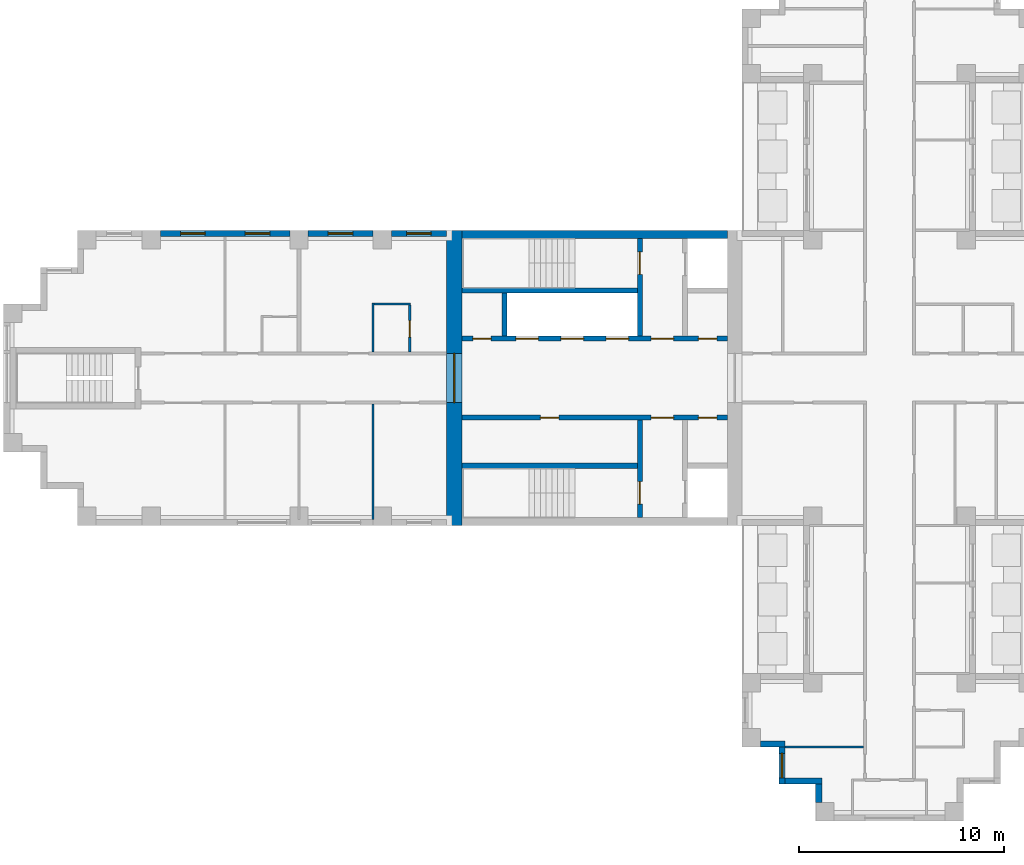
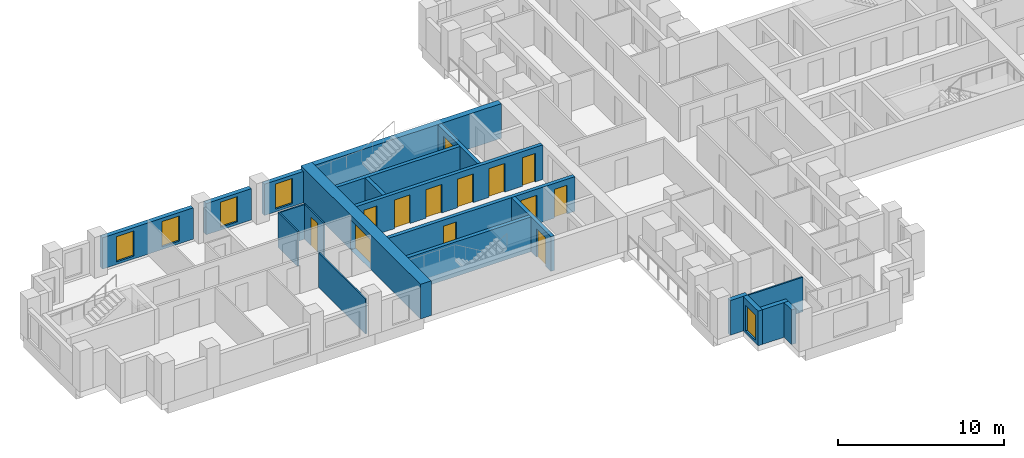
# One storey, part 3 of 10: 21 walls, 13 doors, 5 windows, 18 openings.
"""IFC4 building model written with IfcOpenShell, lengths in metres."""

import ifcopenshell
import ifcopenshell.guid

model = None  # the IFC model being written
_history = None  # IfcOwnerHistory: only IFC2X3 demands one
_inside = {}  # id of a spatial element -> (the spatial element, [elements in it])
_under = {}  # id of a project, library or spatial element -> (it, [spatial elements below it])
_declared = {}  # id of a project -> (the project, [libraries it declares])
_typed = {}  # id of a type object -> (the type object, [elements of that type])
_made_of = {}  # id of a material, layer set ... -> (it, [elements and type objects made of it])


def new_model(schema):
    """Start an empty IFC model of exactly this schema.

    Asked for "IFC4X3", IfcOpenShell would pick the latest addendum, in which some entities
    have other attributes; the version numbers below select the first issue.
    IFC2X3 requires an IfcOwnerHistory on every rooted entity: one is made here for all.
    """
    global model, _history
    if schema == "IFC4X3":
        model = ifcopenshell.file(schema_version=(4, 3, 0, 0))
    else:
        model = ifcopenshell.file(schema=schema)
    _inside.clear()
    _under.clear()
    _declared.clear()
    _typed.clear()
    _made_of.clear()
    _history = None
    if model.schema == "IFC2X3":
        org = make("IfcOrganization", Name="unknown")
        user = make(
            "IfcPersonAndOrganization",
            ThePerson=make("IfcPerson", FamilyName="unknown"),
            TheOrganization=org,
        )
        app = make(
            "IfcApplication",
            ApplicationDeveloper=org,
            Version="unknown",
            ApplicationFullName="unknown",
            ApplicationIdentifier="unknown",
        )
        _history = make(
            "IfcOwnerHistory",
            OwningUser=user,
            OwningApplication=app,
            ChangeAction="ADDED",
            CreationDate=0,
        )
    return model


def make(cls, **values):
    """One entity of the class cls with the attributes given. An attribute that is None is left unset."""
    return model.create_entity(
        cls, **{name: value for name, value in values.items() if value is not None}
    )


def rooted(cls, **values):
    """An entity with a GlobalId (a new one), such as an element, a storey or a relation."""
    return make(cls, GlobalId=ifcopenshell.guid.new(), OwnerHistory=_history, **values)


def si_unit(unit_type, name, prefix=None):
    """IfcSIUnit, for example si_unit("LENGTHUNIT", "METRE", prefix="MILLI")."""
    return make("IfcSIUnit", UnitType=unit_type, Prefix=prefix, Name=name)


def assignment(units):
    """IfcUnitAssignment: the units of a project."""
    return None if units is None else make("IfcUnitAssignment", Units=units)


def point(xyz):
    """IfcCartesianPoint."""
    return None if xyz is None else make("IfcCartesianPoint", Coordinates=xyz)


def direction(xyz):
    """IfcDirection."""
    return None if xyz is None else make("IfcDirection", DirectionRatios=xyz)


def frame(location, z_axis=None, x_axis=None):
    """IfcAxis2Placement3D, a coordinate frame: its origin and axes. An axis left out is left unset."""
    return make(
        "IfcAxis2Placement3D",
        Location=point(location),
        Axis=direction(z_axis),
        RefDirection=direction(x_axis),
    )


def frame_2d(location, x_axis=None):
    """IfcAxis2Placement2D, a coordinate frame in the plane: its origin and x axis."""
    return make(
        "IfcAxis2Placement2D", Location=point(location), RefDirection=direction(x_axis)
    )


def origin():
    """The frame at (0, 0, 0) with its axes left unset."""
    return frame((0.0, 0.0, 0.0))


def place(relative_to, where):
    """IfcLocalPlacement: puts the frame where relative to a parent placement (None: the world)."""
    return make(
        "IfcLocalPlacement", PlacementRelTo=relative_to, RelativePlacement=where
    )


def context(
    kind, dimensions, precision=None, world=None, true_north=None, identifier=None
):
    """IfcGeometricRepresentationContext, for example the 3D "Model" context."""
    return make(
        "IfcGeometricRepresentationContext",
        ContextIdentifier=identifier,
        ContextType=kind,
        CoordinateSpaceDimension=dimensions,
        Precision=precision,
        WorldCoordinateSystem=world,
        TrueNorth=true_north,
    )


def subcontext(parent, identifier, kind, view, scale=None):
    """IfcGeometricRepresentationSubContext, for example "Body" below "Model"."""
    return make(
        "IfcGeometricRepresentationSubContext",
        ContextIdentifier=identifier,
        ContextType=kind,
        ParentContext=parent,
        TargetScale=scale,
        TargetView=view,
    )


def project(units=None, contexts=None):
    """IfcProject with its units and contexts."""
    return rooted(
        "IfcProject",
        Name="project",
        RepresentationContexts=contexts,
        UnitsInContext=assignment(units),
    )


def spatial(cls, under=None, at=None, **own):
    """A site, building, storey or space (cls), placed at a placement, below another one or the project."""
    s = rooted(cls, ObjectPlacement=at, **own)
    if under is not None:
        _under.setdefault(under.id(), (under, []))[1].append(s)
    return s


def profile(cls, at=None, kind="AREA", **sizes):
    """A parametric profile (cls). Its sizes go by their IFC names, for example OverallWidth=200.0."""
    return make(cls, ProfileType=kind, Position=at, **sizes)


def rectangle(**sizes):
    """IfcRectangleProfileDef."""
    return profile("IfcRectangleProfileDef", **sizes)


def extrude(swept, where, along, depth):
    """IfcExtrudedAreaSolid: the profile swept, set in the frame where, extruded along a direction by depth."""
    return make(
        "IfcExtrudedAreaSolid",
        SweptArea=swept,
        Position=where,
        ExtrudedDirection=direction(along),
        Depth=depth,
    )


def shape(context_of_items, identifier, shape_type, items):
    """IfcShapeRepresentation: the items that make up one representation, for example the "Body"."""
    return make(
        "IfcShapeRepresentation",
        ContextOfItems=context_of_items,
        RepresentationIdentifier=identifier,
        RepresentationType=shape_type,
        Items=items,
    )


def material(Name=None, Category=None):
    """IfcMaterial."""
    return make("IfcMaterial", Name=Name, Category=Category)


def layer(
    of_material, thickness, ventilated=None, Name=None, Category=None, Priority=None
):
    """IfcMaterialLayer: one layer of a wall or slab, of a material (None: an air gap)."""
    return make(
        "IfcMaterialLayer",
        Material=of_material,
        LayerThickness=thickness,
        IsVentilated=ventilated,
        Name=Name,
        Category=Category,
        Priority=Priority,
    )


def layer_set(layers, Name=None):
    """IfcMaterialLayerSet."""
    return make("IfcMaterialLayerSet", MaterialLayers=layers, LayerSetName=Name)


def made_of(thing, what):
    """Note that an element or type object is made of a material, layer set ...; save() writes the relation."""
    if what is not None:
        _made_of.setdefault(what.id(), (what, []))[1].append(thing)
    return thing


def type_object(cls, material=None, **own):
    """A type object (cls), such as IfcWallType, which elements share."""
    return made_of(rooted(cls, **own), material)


def element(
    cls,
    number,
    at=None,
    inside=None,
    cuts=None,
    type_object=None,
    material=None,
    context=None,
    identifier="Body",
    shape_type=None,
    held_by="IfcProductDefinitionShape",
    body=None,
    shapes=None,
    **own,
):
    """One element of the class cls, such as IfcWall. Its Tag is "e" and its number.

    at: its placement. inside: the storey or other place that contains it. cuts: it is an
    opening in that element (IfcRelVoidsElement). A single representation is given by context,
    identifier, shape_type and body (its items); several are given by shapes. held_by: the class
    of the entity that holds the representations. save() writes the other relations.
    """
    e = rooted(cls, Tag="e%d" % number, ObjectPlacement=at, **own)
    if body is not None:
        shapes = [shape(context, identifier, shape_type, body)]
    if shapes is not None:
        e.Representation = make(held_by, Representations=shapes)
    if inside is not None:
        _inside.setdefault(inside.id(), (inside, []))[1].append(e)
    if cuts is not None:
        rooted(
            "IfcRelVoidsElement", RelatingBuildingElement=cuts, RelatedOpeningElement=e
        )
    if type_object is not None:
        _typed.setdefault(type_object.id(), (type_object, []))[1].append(e)
    return made_of(e, material)


def fill(opening, filler):
    """IfcRelFillsElement: the door or window that sits in an opening."""
    return rooted(
        "IfcRelFillsElement",
        RelatingOpeningElement=opening,
        RelatedBuildingElement=filler,
    )


def aggregate(whole, parts):
    """IfcRelAggregates: a whole, such as a stair, and the parts it consists of."""
    return rooted("IfcRelAggregates", RelatingObject=whole, RelatedObjects=parts)


def save(model, path):
    """Write the relations noted so far, then the file.

    IfcRelAggregates (storeys below a building ...), IfcRelContainedInSpatialStructure (elements
    in a storey), IfcRelDefinesByType, IfcRelAssociatesMaterial and IfcRelDeclares: one each for
    every whole, place, type object, material and project.
    """
    for whole, parts in _under.values():
        aggregate(whole, parts)
    for where, things in _inside.values():
        rooted(
            "IfcRelContainedInSpatialStructure",
            RelatedElements=things,
            RelatingStructure=where,
        )
    for kind, things in _typed.values():
        rooted("IfcRelDefinesByType", RelatedObjects=things, RelatingType=kind)
    for what, things in _made_of.values():
        rooted("IfcRelAssociatesMaterial", RelatedObjects=things, RelatingMaterial=what)
    for by, libraries in _declared.values():
        rooted("IfcRelDeclares", RelatingContext=by, RelatedDefinitions=libraries)
    model.write(path)


model = new_model("IFC4")

# Units and contexts
model_context = context("Model", 3, precision=1e-05, world=origin(), true_north=direction((0.0, 1.0)))
body_context = subcontext(model_context, "Body", "Model", "MODEL_VIEW")
ifc_project = project(units=[si_unit("LENGTHUNIT", "METRE"), si_unit("AREAUNIT", "SQUARE_METRE"), si_unit("VOLUMEUNIT", "CUBIC_METRE"), si_unit("PLANEANGLEUNIT", "RADIAN"), si_unit("MASSUNIT", "GRAM", prefix="KILO")], contexts=[model_context])

# Site, building, storey
site_placement = place(None, origin())
site = spatial("IfcSite", under=ifc_project, at=site_placement, CompositionType="ELEMENT")
building_placement = place(site_placement, origin())
building = spatial("IfcBuilding", under=site, at=building_placement, Name="Fustian Cross Tower", CompositionType="ELEMENT")
storey_placement = place(building_placement, frame((0.0, 0.0, 191.699951171875)))
storey = spatial("IfcBuildingStorey", under=building, at=storey_placement, Name="L60", CompositionType="ELEMENT", Elevation=191.699951171875)

# Wall, opening, door
ifc_material_1 = material(Name="Concrete C50/60", Category="concrete")
ifc_layer_1 = layer(ifc_material_1, 0.75)
ifc_layer_set_1 = layer_set([ifc_layer_1], Name="Concrete C50/60")
wall_type_1 = type_object("IfcWallType", Name="CORE END WALL 750 C50/60", PredefinedType="SHEAR", material=ifc_layer_set_1)
wall_1_placement = place(storey_placement, frame((-21.22509765625, -7.199951171875, 0.0), z_axis=(0.0, 0.0, 1.0), x_axis=(0.0, 1.0, 0.0)))
wall_1 = element("IfcWall", 1, at=wall_1_placement, inside=storey, type_object=wall_type_1, Name="Core end wall", PredefinedType="SHEAR", context=body_context, shape_type="SweptSolid", body=[
    extrude(rectangle(XDim=14.39990234375, YDim=0.75, at=frame_2d((7.199951171875, 0.0))), origin(), (0.0, 0.0, 1.0), 2.550048828125),
])
opening_1_placement = place(wall_1_placement, frame((6.0, 0.0, 0.0)))
opening_1 = element("IfcOpeningElement", 2, at=opening_1_placement, cuts=wall_1, Name="Opening CD-25-28", PredefinedType="OPENING", context=body_context, shape_type="SweptSolid", body=[
    extrude(rectangle(XDim=2.39990234375, YDim=2.199951171875, at=frame_2d((1.199951171875, 1.10009765625))), frame((0.0, 0.385009765625, 0.0), z_axis=(0.0, -1.0, 0.0), x_axis=(1.0, 0.0, 0.0)), (0.0, 0.0, 1.0), 0.77001953125),
])
ifc_material_2 = material(Name="Steel", Category="steel")
door_type_1 = type_object("IfcDoorType", Name="FIRE DOOR FD30S DOUBLE 2400X2200", OperationType="DOUBLE_DOOR_DOUBLE_SWING", PredefinedType="DOOR", material=ifc_material_2)
door_1_placement = place(opening_1_placement, frame((2.39990234375, 0.0, 0.0), z_axis=(0.0, 0.0, 1.0), x_axis=(-1.0, 0.0, 0.0)))
door_1 = element("IfcDoor", 3, at=door_1_placement, inside=storey, type_object=door_type_1, Name="Core door CD-25-28", OperationType="DOUBLE_DOOR_DOUBLE_SWING", OverallHeight=2.199951171875, OverallWidth=2.39990234375, PredefinedType="DOOR", context=body_context, shape_type="SweptSolid", body=[
    extrude(rectangle(XDim=2.39990234375, YDim=2.199951171875, at=frame_2d((1.199951171875, 1.10009765625))), frame((0.0, 0.02490234375, 0.0), z_axis=(0.0, -1.0, 0.0), x_axis=(1.0, 0.0, 0.0)), (0.0, 0.0, 1.0), 0.050048828125),
])
fill(opening_1, door_1)

# Wall
ifc_material_3 = material(Name="Concrete C50/60", Category="concrete")
ifc_layer_2 = layer(ifc_material_3, 0.39990234375)
ifc_layer_set_2 = layer_set([ifc_layer_2], Name="Concrete C50/60")
wall_type_2 = type_object("IfcWallType", Name="CORE FACADE WALL 400 C50/60", PredefinedType="SHEAR", material=ifc_layer_set_2)
wall_2_placement = place(storey_placement, frame((-7.89990234375, 7.0, 0.0), z_axis=(0.0, 0.0, 1.0), x_axis=(-1.0, 0.0, 0.0)))
element("IfcWall", 4, at=wall_2_placement, inside=storey, type_object=wall_type_2, Name="Core facade wall", PredefinedType="SHEAR", context=body_context, shape_type="SweptSolid", body=[
    extrude(rectangle(XDim=12.9501953125, YDim=0.39990234375, at=frame_2d((6.47509765625, 0.0))), origin(), (0.0, 0.0, 1.0), 2.550048828125),
])

# Wall, openings, doors
ifc_material_4 = material(Name="Concrete C50/60", Category="concrete")
ifc_layer_3 = layer(ifc_material_4, 0.25)
ifc_layer_set_3 = layer_set([ifc_layer_3], Name="Concrete C50/60")
wall_type_3 = type_object("IfcWallType", Name="CORE LOBBY WALL 250 C50/60", PredefinedType="SHEAR", material=ifc_layer_set_3)
wall_3_placement = place(storey_placement, frame((-7.89990234375, 1.925048828125, 0.0), z_axis=(0.0, 0.0, 1.0), x_axis=(-1.0, 0.0, 0.0)))
wall_3 = element("IfcWall", 5, at=wall_3_placement, inside=storey, type_object=wall_type_3, Name="Core lobby wall", PredefinedType="SHEAR", context=body_context, shape_type="SweptSolid", body=[
    extrude(rectangle(XDim=12.9501953125, YDim=0.25, at=frame_2d((6.47509765625, 0.0))), origin(), (0.0, 0.0, 1.0), 2.550048828125),
])
opening_2_placement = place(wall_3_placement, frame((4.824951171875, 0.0, 0.0)))
opening_2 = element("IfcOpeningElement", 6, at=opening_2_placement, cuts=wall_3, Name="Opening LD", PredefinedType="OPENING", context=body_context, shape_type="SweptSolid", body=[
    extrude(rectangle(XDim=1.10009765625, YDim=2.10009765625, at=frame_2d((0.550048828125, 1.050048828125))), frame((0.0, 0.135009765625, 0.0), z_axis=(0.0, -1.0, 0.0), x_axis=(1.0, 0.0, 0.0)), (0.0, 0.0, 1.0), 0.27001953125),
])
opening_3_placement = place(wall_3_placement, frame((7.02490234375, 0.0, 0.0)))
opening_3 = element("IfcOpeningElement", 7, at=opening_3_placement, cuts=wall_3, Name="Opening LD", PredefinedType="OPENING", context=body_context, shape_type="SweptSolid", body=[
    extrude(rectangle(XDim=1.10009765625, YDim=2.10009765625, at=frame_2d((0.550048828125, 1.050048828125))), frame((0.0, 0.135009765625, 0.0), z_axis=(0.0, -1.0, 0.0), x_axis=(1.0, 0.0, 0.0)), (0.0, 0.0, 1.0), 0.27001953125),
])
opening_4_placement = place(wall_3_placement, frame((9.22509765625, 0.0, 0.0)))
opening_4 = element("IfcOpeningElement", 8, at=opening_4_placement, cuts=wall_3, Name="Opening LD", PredefinedType="OPENING", context=body_context, shape_type="SweptSolid", body=[
    extrude(rectangle(XDim=1.10009765625, YDim=2.10009765625, at=frame_2d((0.550048828125, 1.050048828125))), frame((0.0, 0.135009765625, 0.0), z_axis=(0.0, -1.0, 0.0), x_axis=(1.0, 0.0, 0.0)), (0.0, 0.0, 1.0), 0.27001953125),
])
opening_5_placement = place(wall_3_placement, frame((0.52490234375, 0.0, 0.0)))
opening_5 = element("IfcOpeningElement", 9, at=opening_5_placement, cuts=wall_3, Name="Opening CD-25-23", PredefinedType="OPENING", context=body_context, shape_type="SweptSolid", body=[
    extrude(rectangle(XDim=0.89990234375, YDim=2.10009765625, at=frame_2d((0.449951171875, 1.050048828125))), frame((0.0, 0.135009765625, 0.0), z_axis=(0.0, -1.0, 0.0), x_axis=(1.0, 0.0, 0.0)), (0.0, 0.0, 1.0), 0.27001953125),
])
opening_6_placement = place(wall_3_placement, frame((2.625, 0.0, 0.0)))
opening_6 = element("IfcOpeningElement", 10, at=opening_6_placement, cuts=wall_3, Name="Opening CD-25-25", PredefinedType="OPENING", context=body_context, shape_type="SweptSolid", body=[
    extrude(rectangle(XDim=1.10009765625, YDim=2.10009765625, at=frame_2d((0.550048828125, 1.050048828125))), frame((0.0, 0.135009765625, 0.0), z_axis=(0.0, -1.0, 0.0), x_axis=(1.0, 0.0, 0.0)), (0.0, 0.0, 1.0), 0.27001953125),
])
opening_7_placement = place(wall_3_placement, frame((11.52490234375, 0.0, 0.0)))
opening_7 = element("IfcOpeningElement", 11, at=opening_7_placement, cuts=wall_3, Name="Opening CD-25-29", PredefinedType="OPENING", context=body_context, shape_type="SweptSolid", body=[
    extrude(rectangle(XDim=0.89990234375, YDim=2.10009765625, at=frame_2d((0.449951171875, 1.050048828125))), frame((0.0, 0.135009765625, 0.0), z_axis=(0.0, -1.0, 0.0), x_axis=(1.0, 0.0, 0.0)), (0.0, 0.0, 1.0), 0.27001953125),
])
ifc_material_5 = material(Name="Steel", Category="steel")
door_type_2 = type_object("IfcDoorType", Name="FIRE DOOR FD30S 900X2100", OperationType="SINGLE_SWING_LEFT", PredefinedType="DOOR", material=ifc_material_5)
door_2_placement = place(opening_7_placement, frame((0.89990234375, 0.0, 0.0), z_axis=(0.0, 0.0, 1.0), x_axis=(-1.0, 0.0, 0.0)))
door_2 = element("IfcDoor", 12, at=door_2_placement, inside=storey, type_object=door_type_2, Name="Core door CD-25-29", OperationType="SINGLE_SWING_RIGHT", OverallHeight=2.10009765625, OverallWidth=0.89990234375, PredefinedType="DOOR", context=body_context, shape_type="SweptSolid", body=[
    extrude(rectangle(XDim=0.89990234375, YDim=2.10009765625, at=frame_2d((0.449951171875, 1.050048828125))), frame((0.0, 0.02490234375, 0.0), z_axis=(0.0, -1.0, 0.0), x_axis=(1.0, 0.0, 0.0)), (0.0, 0.0, 1.0), 0.050048828125),
])
fill(opening_7, door_2)
ifc_material_6 = material(Name="Steel", Category="steel")
door_type_3 = type_object("IfcDoorType", Name="FIRE DOOR FD60S 1100X2100", OperationType="SINGLE_SWING_LEFT", PredefinedType="DOOR", material=ifc_material_6)
door_3_placement = place(opening_6_placement, frame((1.10009765625, 0.0, 0.0), z_axis=(0.0, 0.0, 1.0), x_axis=(-1.0, 0.0, 0.0)))
door_3 = element("IfcDoor", 13, at=door_3_placement, inside=storey, type_object=door_type_3, Name="Core door CD-25-25", OperationType="SINGLE_SWING_RIGHT", OverallHeight=2.10009765625, OverallWidth=1.10009765625, PredefinedType="DOOR", context=body_context, shape_type="SweptSolid", body=[
    extrude(rectangle(XDim=1.10009765625, YDim=2.10009765625, at=frame_2d((0.550048828125, 1.050048828125))), frame((0.0, 0.02490234375, 0.0), z_axis=(0.0, -1.0, 0.0), x_axis=(1.0, 0.0, 0.0)), (0.0, 0.0, 1.0), 0.050048828125),
])
fill(opening_6, door_3)
ifc_material_7 = material(Name="Steel", Category="steel")
door_type_4 = type_object("IfcDoorType", Name="FIRE DOOR FD60S 900X2100", OperationType="SINGLE_SWING_LEFT", PredefinedType="DOOR", material=ifc_material_7)
door_4_placement = place(opening_5_placement, frame((0.89990234375, 0.0, 0.0), z_axis=(0.0, 0.0, 1.0), x_axis=(-1.0, 0.0, 0.0)))
door_4 = element("IfcDoor", 14, at=door_4_placement, inside=storey, type_object=door_type_4, Name="Core door CD-25-23", OperationType="SINGLE_SWING_RIGHT", OverallHeight=2.10009765625, OverallWidth=0.89990234375, PredefinedType="DOOR", context=body_context, shape_type="SweptSolid", body=[
    extrude(rectangle(XDim=0.89990234375, YDim=2.10009765625, at=frame_2d((0.449951171875, 1.050048828125))), frame((0.0, 0.02490234375, 0.0), z_axis=(0.0, -1.0, 0.0), x_axis=(1.0, 0.0, 0.0)), (0.0, 0.0, 1.0), 0.050048828125),
])
fill(opening_5, door_4)
ifc_material_8 = material(Name="Stainless steel", Category="steel")
door_type_5 = type_object("IfcDoorType", Name="LIFT LANDING DOOR 1100X2100", OperationType="SLIDING_TO_LEFT", PredefinedType="DOOR", material=ifc_material_8)
door_5_placement = place(opening_2_placement, origin())
door_5 = element("IfcDoor", 15, at=door_5_placement, inside=storey, type_object=door_type_5, Name="Landing door HR1W", OperationType="SLIDING_TO_LEFT", OverallHeight=2.10009765625, OverallWidth=1.10009765625, PredefinedType="DOOR", context=body_context, shape_type="SweptSolid", body=[
    extrude(rectangle(XDim=1.10009765625, YDim=2.10009765625, at=frame_2d((0.550048828125, 1.050048828125))), frame((0.0, 0.02490234375, 0.0), z_axis=(0.0, -1.0, 0.0), x_axis=(1.0, 0.0, 0.0)), (0.0, 0.0, 1.0), 0.050048828125),
])
fill(opening_2, door_5)
door_6_placement = place(opening_3_placement, origin())
door_6 = element("IfcDoor", 16, at=door_6_placement, inside=storey, type_object=door_type_5, Name="Landing door HR2W", OperationType="SLIDING_TO_LEFT", OverallHeight=2.10009765625, OverallWidth=1.10009765625, PredefinedType="DOOR", context=body_context, shape_type="SweptSolid", body=[
    extrude(rectangle(XDim=1.10009765625, YDim=2.10009765625, at=frame_2d((0.550048828125, 1.050048828125))), frame((0.0, 0.02490234375, 0.0), z_axis=(0.0, -1.0, 0.0), x_axis=(1.0, 0.0, 0.0)), (0.0, 0.0, 1.0), 0.050048828125),
])
fill(opening_3, door_6)
door_7_placement = place(opening_4_placement, origin())
door_7 = element("IfcDoor", 17, at=door_7_placement, inside=storey, type_object=door_type_5, Name="Landing door HR3W", OperationType="SLIDING_TO_LEFT", OverallHeight=2.10009765625, OverallWidth=1.10009765625, PredefinedType="DOOR", context=body_context, shape_type="SweptSolid", body=[
    extrude(rectangle(XDim=1.10009765625, YDim=2.10009765625, at=frame_2d((0.550048828125, 1.050048828125))), frame((0.0, 0.02490234375, 0.0), z_axis=(0.0, -1.0, 0.0), x_axis=(1.0, 0.0, 0.0)), (0.0, 0.0, 1.0), 0.050048828125),
])
fill(opening_4, door_7)

wall_4_placement = place(storey_placement, frame((-7.89990234375, -1.925048828125, 0.0), z_axis=(0.0, 0.0, 1.0), x_axis=(-1.0, 0.0, 0.0)))
wall_4 = element("IfcWall", 18, at=wall_4_placement, inside=storey, type_object=wall_type_3, Name="Core lobby wall", PredefinedType="SHEAR", context=body_context, shape_type="SweptSolid", body=[
    extrude(rectangle(XDim=12.9501953125, YDim=0.25, at=frame_2d((6.47509765625, 0.0))), origin(), (0.0, 0.0, 1.0), 2.550048828125),
])
opening_8_placement = place(wall_4_placement, frame((0.52490234375, 0.0, 0.0)))
opening_8 = element("IfcOpeningElement", 19, at=opening_8_placement, cuts=wall_4, Name="Opening CD-25-24", PredefinedType="OPENING", context=body_context, shape_type="SweptSolid", body=[
    extrude(rectangle(XDim=0.89990234375, YDim=2.10009765625, at=frame_2d((0.449951171875, 1.050048828125))), frame((0.0, 0.135009765625, 0.0), z_axis=(0.0, -1.0, 0.0), x_axis=(1.0, 0.0, 0.0)), (0.0, 0.0, 1.0), 0.27001953125),
])
opening_9_placement = place(wall_4_placement, frame((2.625, 0.0, 0.0)))
opening_9 = element("IfcOpeningElement", 20, at=opening_9_placement, cuts=wall_4, Name="Opening CD-25-26", PredefinedType="OPENING", context=body_context, shape_type="SweptSolid", body=[
    extrude(rectangle(XDim=1.10009765625, YDim=2.10009765625, at=frame_2d((0.550048828125, 1.050048828125))), frame((0.0, 0.135009765625, 0.0), z_axis=(0.0, -1.0, 0.0), x_axis=(1.0, 0.0, 0.0)), (0.0, 0.0, 1.0), 0.27001953125),
])
opening_10_placement = place(wall_4_placement, frame((8.22509765625, 0.0, 0.0)))
opening_10 = element("IfcOpeningElement", 21, at=opening_10_placement, cuts=wall_4, Name="Opening CD-25-30", PredefinedType="OPENING", context=body_context, shape_type="SweptSolid", body=[
    extrude(rectangle(XDim=0.89990234375, YDim=2.10009765625, at=frame_2d((0.449951171875, 1.050048828125))), frame((0.0, 0.135009765625, 0.0), z_axis=(0.0, -1.0, 0.0), x_axis=(1.0, 0.0, 0.0)), (0.0, 0.0, 1.0), 0.27001953125),
])
ifc_material_9 = material(Name="Steel", Category="steel")
door_type_6 = type_object("IfcDoorType", Name="FIRE DOOR FD30S 1100X2100", OperationType="SINGLE_SWING_LEFT", PredefinedType="DOOR", material=ifc_material_9)
door_8_placement = place(opening_9_placement, frame((1.10009765625, 0.0, 0.0), z_axis=(0.0, 0.0, 1.0), x_axis=(-1.0, 0.0, 0.0)))
door_8 = element("IfcDoor", 22, at=door_8_placement, inside=storey, type_object=door_type_6, Name="Core door CD-25-26", OperationType="SINGLE_SWING_RIGHT", OverallHeight=2.10009765625, OverallWidth=1.10009765625, PredefinedType="DOOR", context=body_context, shape_type="SweptSolid", body=[
    extrude(rectangle(XDim=1.10009765625, YDim=2.10009765625, at=frame_2d((0.550048828125, 1.050048828125))), frame((0.0, 0.02490234375, 0.0), z_axis=(0.0, -1.0, 0.0), x_axis=(1.0, 0.0, 0.0)), (0.0, 0.0, 1.0), 0.050048828125),
])
fill(opening_9, door_8)
door_9_placement = place(opening_8_placement, origin())
door_9 = element("IfcDoor", 23, at=door_9_placement, inside=storey, type_object=door_type_2, Name="Core door CD-25-24", OperationType="SINGLE_SWING_LEFT", OverallHeight=2.10009765625, OverallWidth=0.89990234375, PredefinedType="DOOR", context=body_context, shape_type="SweptSolid", body=[
    extrude(rectangle(XDim=0.89990234375, YDim=2.10009765625, at=frame_2d((0.449951171875, 1.050048828125))), frame((0.0, 0.02490234375, 0.0), z_axis=(0.0, -1.0, 0.0), x_axis=(1.0, 0.0, 0.0)), (0.0, 0.0, 1.0), 0.050048828125),
])
fill(opening_8, door_9)
door_10_placement = place(opening_10_placement, origin())
door_10 = element("IfcDoor", 24, at=door_10_placement, inside=storey, type_object=door_type_2, Name="Core door CD-25-30", OperationType="SINGLE_SWING_RIGHT", OverallHeight=2.10009765625, OverallWidth=0.89990234375, PredefinedType="DOOR", context=body_context, shape_type="SweptSolid", body=[
    extrude(rectangle(XDim=0.89990234375, YDim=2.10009765625, at=frame_2d((0.449951171875, 1.050048828125))), frame((0.0, 0.02490234375, 0.0), z_axis=(0.0, -1.0, 0.0), x_axis=(1.0, 0.0, 0.0)), (0.0, 0.0, 1.0), 0.050048828125),
])
fill(opening_10, door_10)

# Wall
ifc_material_10 = material(Name="Concrete C50/60", Category="concrete")
ifc_layer_4 = layer(ifc_material_10, 0.25)
ifc_layer_set_4 = layer_set([ifc_layer_4], Name="Concrete C50/60")
wall_type_4 = type_object("IfcWallType", Name="CORE SHAFT WALL 250 C50/60", PredefinedType="SHEAR", material=ifc_layer_set_4)
wall_5_placement = place(storey_placement, frame((-12.300048828125, 4.27490234375, 0.0), z_axis=(0.0, 0.0, 1.0), x_axis=(-1.0, 0.0, 0.0)))
element("IfcWall", 25, at=wall_5_placement, inside=storey, type_object=wall_type_4, Name="Core shaft wall", PredefinedType="SHEAR", context=body_context, shape_type="SweptSolid", body=[
    extrude(rectangle(XDim=8.550048828125, YDim=0.25, at=frame_2d((4.27490234375, 0.0))), origin(), (0.0, 0.0, 1.0), 2.550048828125),
])

# Wall, opening, door
wall_6_placement = place(storey_placement, frame((-12.175048828125, 2.050048828125, 0.0), z_axis=(0.0, 0.0, 1.0), x_axis=(0.0, 1.0, 0.0)))
wall_6 = element("IfcWall", 26, at=wall_6_placement, inside=storey, type_object=wall_type_4, Name="Core shaft wall", PredefinedType="SHEAR", context=body_context, shape_type="SweptSolid", body=[
    extrude(rectangle(XDim=4.75, YDim=0.25, at=frame_2d((2.375, 0.0))), origin(), (0.0, 0.0, 1.0), 2.550048828125),
])
opening_11_placement = place(wall_6_placement, frame((3.0, 0.0, 0.0)))
opening_11 = element("IfcOpeningElement", 27, at=opening_11_placement, cuts=wall_6, Name="Opening CD-25-21", PredefinedType="OPENING", context=body_context, shape_type="SweptSolid", body=[
    extrude(rectangle(XDim=1.10009765625, YDim=2.10009765625, at=frame_2d((0.550048828125, 1.050048828125))), frame((0.0, 0.135009765625, 0.0), z_axis=(0.0, -1.0, 0.0), x_axis=(1.0, 0.0, 0.0)), (0.0, 0.0, 1.0), 0.27001953125),
])
door_11_placement = place(opening_11_placement, origin())
door_11 = element("IfcDoor", 28, at=door_11_placement, inside=storey, type_object=door_type_3, Name="Core door CD-25-21", OperationType="SINGLE_SWING_LEFT", OverallHeight=2.10009765625, OverallWidth=1.10009765625, PredefinedType="DOOR", context=body_context, shape_type="SweptSolid", body=[
    extrude(rectangle(XDim=1.10009765625, YDim=2.10009765625, at=frame_2d((0.550048828125, 1.050048828125))), frame((0.0, 0.02490234375, 0.0), z_axis=(0.0, -1.0, 0.0), x_axis=(1.0, 0.0, 0.0)), (0.0, 0.0, 1.0), 0.050048828125),
])
fill(opening_11, door_11)

# Wall
wall_7_placement = place(storey_placement, frame((-12.300048828125, -4.27490234375, 0.0), z_axis=(0.0, 0.0, 1.0), x_axis=(-1.0, 0.0, 0.0)))
element("IfcWall", 29, at=wall_7_placement, inside=storey, type_object=wall_type_4, Name="Core shaft wall", PredefinedType="SHEAR", context=body_context, shape_type="SweptSolid", body=[
    extrude(rectangle(XDim=8.550048828125, YDim=0.25, at=frame_2d((4.27490234375, 0.0))), origin(), (0.0, 0.0, 1.0), 2.550048828125),
])

# Wall, opening, door
wall_8_placement = place(storey_placement, frame((-12.175048828125, -2.050048828125, 0.0), z_axis=(0.0, 0.0, 1.0), x_axis=(0.0, -1.0, 0.0)))
wall_8 = element("IfcWall", 30, at=wall_8_placement, inside=storey, type_object=wall_type_4, Name="Core shaft wall", PredefinedType="SHEAR", context=body_context, shape_type="SweptSolid", body=[
    extrude(rectangle(XDim=4.75, YDim=0.25, at=frame_2d((2.375, 0.0))), origin(), (0.0, 0.0, 1.0), 2.550048828125),
])
opening_12_placement = place(wall_8_placement, frame((3.0, 0.0, 0.0)))
opening_12 = element("IfcOpeningElement", 31, at=opening_12_placement, cuts=wall_8, Name="Opening CD-25-22", PredefinedType="OPENING", context=body_context, shape_type="SweptSolid", body=[
    extrude(rectangle(XDim=1.10009765625, YDim=2.10009765625, at=frame_2d((0.550048828125, 1.050048828125))), frame((0.0, 0.135009765625, 0.0), z_axis=(0.0, -1.0, 0.0), x_axis=(1.0, 0.0, 0.0)), (0.0, 0.0, 1.0), 0.27001953125),
])
door_12_placement = place(opening_12_placement, frame((1.10009765625, 0.0, 0.0), z_axis=(0.0, 0.0, 1.0), x_axis=(-1.0, 0.0, 0.0)))
door_12 = element("IfcDoor", 32, at=door_12_placement, inside=storey, type_object=door_type_3, Name="Core door CD-25-22", OperationType="SINGLE_SWING_RIGHT", OverallHeight=2.10009765625, OverallWidth=1.10009765625, PredefinedType="DOOR", context=body_context, shape_type="SweptSolid", body=[
    extrude(rectangle(XDim=1.10009765625, YDim=2.10009765625, at=frame_2d((0.550048828125, 1.050048828125))), frame((0.0, 0.02490234375, 0.0), z_axis=(0.0, -1.0, 0.0), x_axis=(1.0, 0.0, 0.0)), (0.0, 0.0, 1.0), 0.050048828125),
])
fill(opening_12, door_12)

# Walls
ifc_material_11 = material(Name="Plasterboard on steel stud", Category="steel")
ifc_layer_5 = layer(ifc_material_11, 0.10009765625)
ifc_layer_set_5 = layer_set([ifc_layer_5], Name="Plasterboard on steel stud")
wall_type_5 = type_object("IfcWallType", Name="PARTITION 100 STUD", PredefinedType="PARTITIONING", material=ifc_layer_set_5)
wall_9_placement = place(storey_placement, frame((-25.199951171875, -6.89990234375, 0.0), z_axis=(0.0, 0.0, 1.0), x_axis=(0.0, 1.0, 0.0)))
element("IfcWall", 33, at=wall_9_placement, inside=storey, type_object=wall_type_5, Name="Partition 9", PredefinedType="PARTITIONING", context=body_context, shape_type="SweptSolid", body=[
    extrude(rectangle(XDim=5.625, YDim=0.10009765625, at=frame_2d((2.8125, 0.0))), origin(), (0.0, 0.0, 1.0), 2.550048828125),
])
wall_10_placement = place(storey_placement, frame((-25.199951171875, 1.27490234375, 0.0), z_axis=(0.0, 0.0, 1.0), x_axis=(0.0, 1.0, 0.0)))
element("IfcWall", 34, at=wall_10_placement, inside=storey, type_object=wall_type_5, Name="Partition 10", PredefinedType="PARTITIONING", context=body_context, shape_type="SweptSolid", body=[
    extrude(rectangle(XDim=2.375, YDim=0.10009765625, at=frame_2d((1.1875, 0.0))), origin(), (0.0, 0.0, 1.0), 2.550048828125),
])
wall_11_placement = place(storey_placement, frame((-25.14990234375, 3.60009765625, 0.0), z_axis=(0.0, 0.0, 1.0), x_axis=(1.0, 0.0, 0.0)))
element("IfcWall", 35, at=wall_11_placement, inside=storey, type_object=wall_type_5, Name="Partition 11", PredefinedType="PARTITIONING", context=body_context, shape_type="SweptSolid", body=[
    extrude(rectangle(XDim=1.7998046875, YDim=0.10009765625, at=frame_2d((0.89990234375, 0.0))), origin(), (0.0, 0.0, 1.0), 2.550048828125),
])

# Wall, opening, door
wall_12_placement = place(storey_placement, frame((-23.39990234375, 1.27490234375, 0.0), z_axis=(0.0, 0.0, 1.0), x_axis=(0.0, 1.0, 0.0)))
wall_12 = element("IfcWall", 36, at=wall_12_placement, inside=storey, type_object=wall_type_5, Name="Partition 12", PredefinedType="PARTITIONING", context=body_context, shape_type="SweptSolid", body=[
    extrude(rectangle(XDim=2.275146484375, YDim=0.10009765625, at=frame_2d((1.1376953125, 0.0))), origin(), (0.0, 0.0, 1.0), 2.550048828125),
])
opening_13_placement = place(wall_12_placement, frame((0.72509765625, 0.0, 0.0)))
opening_13 = element("IfcOpeningElement", 37, at=opening_13_placement, cuts=wall_12, Name="Opening D27027", PredefinedType="OPENING", context=body_context, shape_type="SweptSolid", body=[
    extrude(rectangle(XDim=0.800048828125, YDim=2.10009765625, at=frame_2d((0.39990234375, 1.050048828125))), frame((0.0, 0.06005859375, 0.0), z_axis=(0.0, -1.0, 0.0), x_axis=(1.0, 0.0, 0.0)), (0.0, 0.0, 1.0), 0.1201171875),
])
ifc_material_12 = material(Name="Painted timber", Category="wood")
door_type_7 = type_object("IfcDoorType", Name="SWING DOOR 800", OperationType="SINGLE_SWING_LEFT", PredefinedType="DOOR", material=ifc_material_12)
door_13_placement = place(opening_13_placement, origin())
door_13 = element("IfcDoor", 38, at=door_13_placement, inside=storey, type_object=door_type_7, Name="Door D27027", OperationType="SINGLE_SWING_LEFT", OverallHeight=2.10009765625, OverallWidth=0.800048828125, PredefinedType="DOOR", context=body_context, shape_type="SweptSolid", body=[
    extrude(rectangle(XDim=0.800048828125, YDim=2.10009765625, at=frame_2d((0.39990234375, 1.050048828125))), frame((0.0, 0.02490234375, 0.0), z_axis=(0.0, -1.0, 0.0), x_axis=(1.0, 0.0, 0.0)), (0.0, 0.0, 1.0), 0.050048828125),
])
fill(opening_13, door_13)

# Walls
wall_13_placement = place(storey_placement, frame((-5.10009765625, -18.0, 0.0), z_axis=(0.0, 0.0, 1.0), x_axis=(1.0, 0.0, 0.0)))
element("IfcWall", 39, at=wall_13_placement, inside=storey, type_object=wall_type_5, Name="Partition 17", PredefinedType="PARTITIONING", context=body_context, shape_type="SweptSolid", body=[
    extrude(rectangle(XDim=3.8251953125, YDim=0.10009765625, at=frame_2d((1.91259765625, 0.0))), origin(), (0.0, 0.0, 1.0), 2.550048828125),
])
ifc_material_13 = material(Name="Concrete C40/50", Category="concrete")
ifc_layer_6 = layer(ifc_material_13, 0.25)
ifc_layer_set_6 = layer_set([ifc_layer_6], Name="Concrete C40/50")
wall_type_6 = type_object("IfcWallType", Name="SHAFT PARTITION WALL 250 C40/50", PredefinedType="PARTITIONING", material=ifc_layer_set_6)
wall_14_placement = place(storey_placement, frame((-18.77490234375, 2.050048828125, 0.0), z_axis=(0.0, 0.0, 1.0), x_axis=(0.0, 1.0, 0.0)))
element("IfcWall", 40, at=wall_14_placement, inside=storey, type_object=wall_type_6, Name="Core shaft wall", PredefinedType="PARTITIONING", context=body_context, shape_type="SweptSolid", body=[
    extrude(rectangle(XDim=2.099853515625, YDim=0.25, at=frame_2d((1.0498046875, 0.0))), origin(), (0.0, 0.0, 1.0), 2.550048828125),
])

# Wall, opening, window
ifc_material_14 = material(Name="Dark aluminium cladding on insulated backing wall", Category="aluminium")
ifc_layer_7 = layer(ifc_material_14, 0.300048828125)
ifc_layer_set_7 = layer_set([ifc_layer_7], Name="Dark aluminium cladding on insulated backing wall")
wall_type_7 = type_object("IfcWallType", Name="XW1 EXTERNAL WALL 300", PredefinedType="SOLIDWALL", material=ifc_layer_set_7)
wall_15_placement = place(storey_placement, frame((-21.60009765625, 7.050048828125, 0.0), z_axis=(0.0, 0.0, 1.0), x_axis=(-1.0, 0.0, 0.0)))
wall_15 = element("IfcWall", 41, at=wall_15_placement, inside=storey, type_object=wall_type_7, Name="External wall", PredefinedType="SOLIDWALL", context=body_context, shape_type="SweptSolid", body=[
    extrude(rectangle(XDim=2.699951171875, YDim=0.300048828125, at=frame_2d((1.35009765625, 0.0))), origin(), (0.0, 0.0, 1.0), 2.300048828125),
])
opening_14_placement = place(wall_15_placement, frame((0.75, 0.0, 0.199951171875)))
opening_14 = element("IfcOpeningElement", 42, at=opening_14_placement, cuts=wall_15, Name="Opening WN3", PredefinedType="OPENING", context=body_context, shape_type="SweptSolid", body=[
    extrude(rectangle(XDim=1.199951171875, YDim=1.85009765625, at=frame_2d((0.60009765625, 0.925048828125))), frame((0.0, 0.159912109375, 0.0), z_axis=(0.0, -1.0, 0.0), x_axis=(1.0, 0.0, 0.0)), (0.0, 0.0, 1.0), 0.320068359375),
])
ifc_material_15 = material(Name="Dark anodised aluminium and double glazing", Category="aluminium")
window_type = type_object("IfcWindowType", Name="WN3 WINDOW 1200X1850", PartitioningType="SINGLE_PANEL", PredefinedType="WINDOW", material=ifc_material_15)
window_1_placement = place(opening_14_placement, origin())
window_1 = element("IfcWindow", 43, at=window_1_placement, inside=storey, type_object=window_type, Name="Window", OverallHeight=1.85009765625, OverallWidth=1.199951171875, PartitioningType="SINGLE_PANEL", PredefinedType="WINDOW", context=body_context, shape_type="SweptSolid", body=[
    extrude(rectangle(XDim=1.199951171875, YDim=1.85009765625, at=frame_2d((0.60009765625, 0.925048828125))), frame((0.0, 0.030029296875, 0.0), z_axis=(0.0, -1.0, 0.0), x_axis=(1.0, 0.0, 0.0)), (0.0, 0.0, 1.0), 0.06005859375),
])
fill(opening_14, window_1)

wall_16_placement = place(storey_placement, frame((-25.199951171875, 7.050048828125, 0.0), z_axis=(0.0, 0.0, 1.0), x_axis=(-1.0, 0.0, 0.0)))
wall_16 = element("IfcWall", 44, at=wall_16_placement, inside=storey, type_object=wall_type_7, Name="External wall", PredefinedType="SOLIDWALL", context=body_context, shape_type="SweptSolid", body=[
    extrude(rectangle(XDim=3.150146484375, YDim=0.300048828125, at=frame_2d((1.5751953125, 0.0))), origin(), (0.0, 0.0, 1.0), 2.300048828125),
])
opening_15_placement = place(wall_16_placement, frame((0.97509765625, 0.0, 0.199951171875)))
opening_15 = element("IfcOpeningElement", 45, at=opening_15_placement, cuts=wall_16, Name="Opening WN3", PredefinedType="OPENING", context=body_context, shape_type="SweptSolid", body=[
    extrude(rectangle(XDim=1.199951171875, YDim=1.85009765625, at=frame_2d((0.60009765625, 0.925048828125))), frame((0.0, 0.159912109375, 0.0), z_axis=(0.0, -1.0, 0.0), x_axis=(1.0, 0.0, 0.0)), (0.0, 0.0, 1.0), 0.320068359375),
])
window_2_placement = place(opening_15_placement, origin())
window_2 = element("IfcWindow", 46, at=window_2_placement, inside=storey, type_object=window_type, Name="Window", OverallHeight=1.85009765625, OverallWidth=1.199951171875, PartitioningType="SINGLE_PANEL", PredefinedType="WINDOW", context=body_context, shape_type="SweptSolid", body=[
    extrude(rectangle(XDim=1.199951171875, YDim=1.85009765625, at=frame_2d((0.60009765625, 0.925048828125))), frame((0.0, 0.030029296875, 0.0), z_axis=(0.0, -1.0, 0.0), x_axis=(1.0, 0.0, 0.0)), (0.0, 0.0, 1.0), 0.06005859375),
])
fill(opening_15, window_2)

# Wall, openings, windows
wall_17_placement = place(storey_placement, frame((-29.25, 7.050048828125, 0.0), z_axis=(0.0, 0.0, 1.0), x_axis=(-1.0, 0.0, 0.0)))
wall_17 = element("IfcWall", 47, at=wall_17_placement, inside=storey, type_object=wall_type_7, Name="External wall", PredefinedType="SOLIDWALL", context=body_context, shape_type="SweptSolid", body=[
    extrude(rectangle(XDim=6.300048828125, YDim=0.300048828125, at=frame_2d((3.14990234375, 0.0))), origin(), (0.0, 0.0, 1.0), 2.300048828125),
])
opening_16_placement = place(wall_17_placement, frame((0.97509765625, 0.0, 0.199951171875)))
opening_16 = element("IfcOpeningElement", 48, at=opening_16_placement, cuts=wall_17, Name="Opening WN3", PredefinedType="OPENING", context=body_context, shape_type="SweptSolid", body=[
    extrude(rectangle(XDim=1.199951171875, YDim=1.85009765625, at=frame_2d((0.60009765625, 0.925048828125))), frame((0.0, 0.159912109375, 0.0), z_axis=(0.0, -1.0, 0.0), x_axis=(1.0, 0.0, 0.0)), (0.0, 0.0, 1.0), 0.320068359375),
])
opening_17_placement = place(wall_17_placement, frame((4.125, 0.0, 0.199951171875)))
opening_17 = element("IfcOpeningElement", 49, at=opening_17_placement, cuts=wall_17, Name="Opening WN3", PredefinedType="OPENING", context=body_context, shape_type="SweptSolid", body=[
    extrude(rectangle(XDim=1.199951171875, YDim=1.85009765625, at=frame_2d((0.60009765625, 0.925048828125))), frame((0.0, 0.159912109375, 0.0), z_axis=(0.0, -1.0, 0.0), x_axis=(1.0, 0.0, 0.0)), (0.0, 0.0, 1.0), 0.320068359375),
])
window_3_placement = place(opening_16_placement, origin())
window_3 = element("IfcWindow", 50, at=window_3_placement, inside=storey, type_object=window_type, Name="Window", OverallHeight=1.85009765625, OverallWidth=1.199951171875, PartitioningType="SINGLE_PANEL", PredefinedType="WINDOW", context=body_context, shape_type="SweptSolid", body=[
    extrude(rectangle(XDim=1.199951171875, YDim=1.85009765625, at=frame_2d((0.60009765625, 0.925048828125))), frame((0.0, 0.030029296875, 0.0), z_axis=(0.0, -1.0, 0.0), x_axis=(1.0, 0.0, 0.0)), (0.0, 0.0, 1.0), 0.06005859375),
])
fill(opening_16, window_3)
window_4_placement = place(opening_17_placement, origin())
window_4 = element("IfcWindow", 51, at=window_4_placement, inside=storey, type_object=window_type, Name="Window", OverallHeight=1.85009765625, OverallWidth=1.199951171875, PartitioningType="SINGLE_PANEL", PredefinedType="WINDOW", context=body_context, shape_type="SweptSolid", body=[
    extrude(rectangle(XDim=1.199951171875, YDim=1.85009765625, at=frame_2d((0.60009765625, 0.925048828125))), frame((0.0, 0.030029296875, 0.0), z_axis=(0.0, -1.0, 0.0), x_axis=(1.0, 0.0, 0.0)), (0.0, 0.0, 1.0), 0.06005859375),
])
fill(opening_17, window_4)

# Wall
wall_18_placement = place(storey_placement, frame((-6.300048828125, -17.85009765625, 0.0), z_axis=(0.0, 0.0, 1.0), x_axis=(1.0, 0.0, 0.0)))
element("IfcWall", 52, at=wall_18_placement, inside=storey, type_object=wall_type_7, Name="External wall", PredefinedType="SOLIDWALL", context=body_context, shape_type="SweptSolid", body=[
    extrude(rectangle(XDim=1.199951171875, YDim=0.300048828125, at=frame_2d((0.60009765625, 0.0))), origin(), (0.0, 0.0, 1.0), 2.550048828125),
])

# Wall, opening, window
wall_19_placement = place(storey_placement, frame((-5.25, -18.0, 0.0), z_axis=(0.0, 0.0, 1.0), x_axis=(0.0, -1.0, 0.0)))
wall_19 = element("IfcWall", 53, at=wall_19_placement, inside=storey, type_object=wall_type_7, Name="External wall", PredefinedType="SOLIDWALL", context=body_context, shape_type="SweptSolid", body=[
    extrude(rectangle(XDim=1.800048828125, YDim=0.300048828125, at=frame_2d((0.89990234375, 0.0))), origin(), (0.0, 0.0, 1.0), 2.550048828125),
])
opening_18_placement = place(wall_19_placement, frame((0.300048828125, 0.0, 0.199951171875)))
opening_18 = element("IfcOpeningElement", 54, at=opening_18_placement, cuts=wall_19, Name="Opening WN3", PredefinedType="OPENING", context=body_context, shape_type="SweptSolid", body=[
    extrude(rectangle(XDim=1.199951171875, YDim=1.85009765625, at=frame_2d((0.60009765625, 0.925048828125))), frame((0.0, 0.159912109375, 0.0), z_axis=(0.0, -1.0, 0.0), x_axis=(1.0, 0.0, 0.0)), (0.0, 0.0, 1.0), 0.320068359375),
])
window_5_placement = place(opening_18_placement, origin())
window_5 = element("IfcWindow", 55, at=window_5_placement, inside=storey, type_object=window_type, Name="Window", OverallHeight=1.85009765625, OverallWidth=1.199951171875, PartitioningType="SINGLE_PANEL", PredefinedType="WINDOW", context=body_context, shape_type="SweptSolid", body=[
    extrude(rectangle(XDim=1.199951171875, YDim=1.85009765625, at=frame_2d((0.60009765625, 0.925048828125))), frame((0.0, 0.030029296875, 0.0), z_axis=(0.0, -1.0, 0.0), x_axis=(1.0, 0.0, 0.0)), (0.0, 0.0, 1.0), 0.06005859375),
])
fill(opening_18, window_5)

# Walls
wall_20_placement = place(storey_placement, frame((-5.10009765625, -19.64990234375, 0.0), z_axis=(0.0, 0.0, 1.0), x_axis=(1.0, 0.0, 0.0)))
element("IfcWall", 56, at=wall_20_placement, inside=storey, type_object=wall_type_7, Name="External wall", PredefinedType="SOLIDWALL", context=body_context, shape_type="SweptSolid", body=[
    extrude(rectangle(XDim=1.800048828125, YDim=0.300048828125, at=frame_2d((0.89990234375, 0.0))), origin(), (0.0, 0.0, 1.0), 2.550048828125),
])
wall_21_placement = place(storey_placement, frame((-3.449951171875, -19.800048828125, 0.0), z_axis=(0.0, 0.0, 1.0), x_axis=(0.0, -1.0, 0.0)))
element("IfcWall", 57, at=wall_21_placement, inside=storey, type_object=wall_type_7, Name="External wall", PredefinedType="SOLIDWALL", context=body_context, shape_type="SweptSolid", body=[
    extrude(rectangle(XDim=0.89990234375, YDim=0.300048828125, at=frame_2d((0.449951171875, 0.0))), origin(), (0.0, 0.0, 1.0), 2.550048828125),
])

save(model, "model.ifc")
